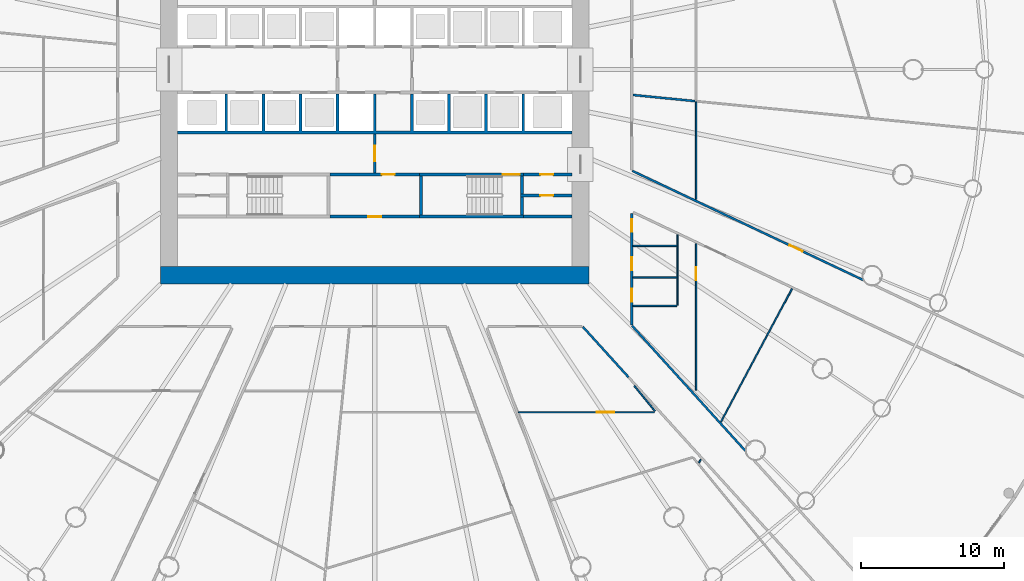
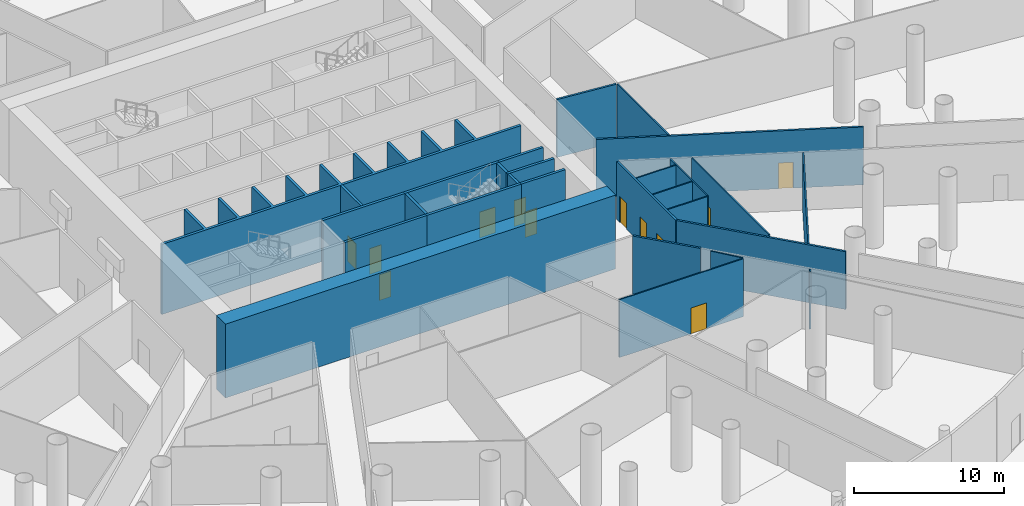
# One storey, part 16 of 33: 28 walls, 12 doors, 12 openings.
"""IFC4 building model written with IfcOpenShell, lengths in metres."""

from ifc_helpers import new_model, si_unit, direction, frame, frame_2d, origin, place, context, subcontext, project, spatial, polyline, rectangle, outline, extrude, material, layer, layer_set, type_object, element, fill, save


model = new_model("IFC4")

# Units and contexts
model_context = context("Model", 3, precision=1e-05, world=origin(), true_north=direction((0.0, 1.0)))
body_context = subcontext(model_context, "Body", "Model", "MODEL_VIEW")
ifc_project = project(units=[si_unit("LENGTHUNIT", "METRE"), si_unit("AREAUNIT", "SQUARE_METRE"), si_unit("VOLUMEUNIT", "CUBIC_METRE"), si_unit("PLANEANGLEUNIT", "RADIAN"), si_unit("MASSUNIT", "GRAM", prefix="KILO")], contexts=[model_context])

# Site, building, storey
site_placement = place(None, origin())
site = spatial("IfcSite", under=ifc_project, at=site_placement, CompositionType="ELEMENT")
building_placement = place(site_placement, origin())
building = spatial("IfcBuilding", under=site, at=building_placement, Name="Corvane Civic Tower", CompositionType="ELEMENT")
storey_placement = place(building_placement, origin())
storey = spatial("IfcBuildingStorey", under=building, at=storey_placement, Name="G", CompositionType="ELEMENT", Elevation=0.0)

# Wall
ifc_material_1 = material(Name="Concrete C80/95", Category="concrete")
ifc_layer_1 = layer(ifc_material_1, 1.199951171875)
ifc_layer_set_1 = layer_set([ifc_layer_1], Name="Concrete C80/95")
wall_type_1 = type_object("IfcWallType", Name="CORE WALL 1200 C80/95", PredefinedType="SHEAR", material=ifc_layer_set_1)
wall_1_placement = place(storey_placement, frame((-15.0, -14.39990234375, 0.0), z_axis=(0.0, 0.0, 1.0), x_axis=(1.0, 0.0, 0.0)))
element("IfcWall", 1, at=wall_1_placement, inside=storey, type_object=wall_type_1, Name="W-G-core-S", PredefinedType="SHEAR", context=body_context, shape_type="SweptSolid", body=[
    extrude(rectangle(XDim=30.0, YDim=1.199951171875, at=frame_2d((15.0, 0.0))), origin(), (0.0, 0.0, 1.0), 6.0),
])

# Wall, opening, door
ifc_material_2 = material(Name="Concrete C30/37", Category="concrete")
ifc_layer_2 = layer(ifc_material_2, 0.199951171875)
ifc_layer_set_2 = layer_set([ifc_layer_2], Name="Concrete C30/37")
wall_type_2 = type_object("IfcWallType", Name="CR-WALL-200", PredefinedType="PARTITIONING", material=ifc_layer_set_2)
wall_2_placement = place(storey_placement, frame((-3.14990234375, -10.300048828125, 0.0), z_axis=(0.0, 0.0, 1.0), x_axis=(1.0, 0.0, 0.0)))
wall_2 = element("IfcWall", 2, at=wall_2_placement, inside=storey, type_object=wall_type_2, Name="G partition wall", PredefinedType="PARTITIONING", context=body_context, shape_type="SweptSolid", body=[
    extrude(rectangle(XDim=6.2998046875, YDim=0.199951171875, at=frame_2d((3.14990234375, 0.0))), origin(), (0.0, 0.0, 1.0), 5.699951171875),
])
opening_1_placement = place(wall_2_placement, frame((2.699951171875, 0.0, 0.0)))
opening_1 = element("IfcOpeningElement", 3, at=opening_1_placement, cuts=wall_2, Name="Opening G.C05", PredefinedType="OPENING", context=body_context, shape_type="SweptSolid", body=[
    extrude(rectangle(XDim=0.89990234375, YDim=2.10009765625, at=frame_2d((0.449951171875, 1.050048828125))), frame((0.0, 0.10986328125, 0.0), z_axis=(0.0, -1.0, 0.0), x_axis=(1.0, 0.0, 0.0)), (0.0, 0.0, 1.0), 0.219970703125),
])
ifc_material_3 = material(Name="Steel fire door leaf", Category="steel")
door_type_1 = type_object("IfcDoorType", Name="CR-DOOR-900", OperationType="SINGLE_SWING_LEFT", PredefinedType="DOOR", material=ifc_material_3)
door_1_placement = place(opening_1_placement, origin())
door_1 = element("IfcDoor", 4, at=door_1_placement, inside=storey, type_object=door_type_1, Name="G door", OperationType="SINGLE_SWING_LEFT", OverallHeight=2.10009765625, OverallWidth=0.89990234375, PredefinedType="DOOR", context=body_context, shape_type="SweptSolid", body=[
    extrude(rectangle(XDim=0.89990234375, YDim=2.10009765625, at=frame_2d((0.449951171875, 1.050048828125))), frame((0.0, 0.02490234375, 0.0), z_axis=(0.0, -1.0, 0.0), x_axis=(1.0, 0.0, 0.0)), (0.0, 0.0, 1.0), 0.050048828125),
])
fill(opening_1, door_1)

wall_3_placement = place(storey_placement, frame((10.199951171875, -8.824951171875, 0.0), z_axis=(0.0, 0.0, 1.0), x_axis=(1.0, 0.0, 0.0)))
wall_3 = element("IfcWall", 5, at=wall_3_placement, inside=storey, type_object=wall_type_2, Name="G partition wall", PredefinedType="PARTITIONING", context=body_context, shape_type="SweptSolid", body=[
    extrude(rectangle(XDim=3.60009765625, YDim=0.199951171875, at=frame_2d((1.800048828125, 0.0))), origin(), (0.0, 0.0, 1.0), 5.699951171875),
])
opening_2_placement = place(wall_3_placement, frame((1.39990234375, 0.0, 0.0)))
opening_2 = element("IfcOpeningElement", 6, at=opening_2_placement, cuts=wall_3, Name="Opening G.C13", PredefinedType="OPENING", context=body_context, shape_type="SweptSolid", body=[
    extrude(rectangle(XDim=0.89990234375, YDim=2.10009765625, at=frame_2d((0.449951171875, 1.050048828125))), frame((0.0, 0.10986328125, 0.0), z_axis=(0.0, -1.0, 0.0), x_axis=(1.0, 0.0, 0.0)), (0.0, 0.0, 1.0), 0.219970703125),
])
door_2_placement = place(opening_2_placement, origin())
door_2 = element("IfcDoor", 7, at=door_2_placement, inside=storey, type_object=door_type_1, Name="G door", OperationType="SINGLE_SWING_LEFT", OverallHeight=2.10009765625, OverallWidth=0.89990234375, PredefinedType="DOOR", context=body_context, shape_type="SweptSolid", body=[
    extrude(rectangle(XDim=0.89990234375, YDim=2.10009765625, at=frame_2d((0.449951171875, 1.050048828125))), frame((0.0, 0.02490234375, 0.0), z_axis=(0.0, -1.0, 0.0), x_axis=(1.0, 0.0, 0.0)), (0.0, 0.0, 1.0), 0.050048828125),
])
fill(opening_2, door_2)

wall_4_placement = place(storey_placement, frame((-3.14990234375, -7.35009765625, 0.0), z_axis=(0.0, 0.0, 1.0), x_axis=(1.0, 0.0, 0.0)))
wall_4 = element("IfcWall", 8, at=wall_4_placement, inside=storey, type_object=wall_type_2, Name="G partition wall", PredefinedType="PARTITIONING", context=body_context, shape_type="SweptSolid", body=[
    extrude(rectangle(XDim=6.2998046875, YDim=0.199951171875, at=frame_2d((3.14990234375, 0.0))), origin(), (0.0, 0.0, 1.0), 5.699951171875),
])
opening_3_placement = place(wall_4_placement, frame((3.64990234375, 0.0, 0.0)))
opening_3 = element("IfcOpeningElement", 9, at=opening_3_placement, cuts=wall_4, Name="Opening G.C03", PredefinedType="OPENING", context=body_context, shape_type="SweptSolid", body=[
    extrude(rectangle(XDim=0.89990234375, YDim=2.10009765625, at=frame_2d((0.449951171875, 1.050048828125))), frame((0.0, 0.10986328125, 0.0), z_axis=(0.0, -1.0, 0.0), x_axis=(1.0, 0.0, 0.0)), (0.0, 0.0, 1.0), 0.219970703125),
])
door_3_placement = place(opening_3_placement, origin())
door_3 = element("IfcDoor", 10, at=door_3_placement, inside=storey, type_object=door_type_1, Name="G door", OperationType="SINGLE_SWING_LEFT", OverallHeight=2.10009765625, OverallWidth=0.89990234375, PredefinedType="DOOR", context=body_context, shape_type="SweptSolid", body=[
    extrude(rectangle(XDim=0.89990234375, YDim=2.10009765625, at=frame_2d((0.449951171875, 1.050048828125))), frame((0.0, 0.02490234375, 0.0), z_axis=(0.0, -1.0, 0.0), x_axis=(1.0, 0.0, 0.0)), (0.0, 0.0, 1.0), 0.050048828125),
])
fill(opening_3, door_3)

wall_5_placement = place(storey_placement, frame((10.39990234375, -7.35009765625, 0.0), z_axis=(0.0, 0.0, 1.0), x_axis=(1.0, 0.0, 0.0)))
wall_5 = element("IfcWall", 11, at=wall_5_placement, inside=storey, type_object=wall_type_2, Name="G core partition wall", PredefinedType="PARTITIONING", context=body_context, shape_type="SweptSolid", body=[
    extrude(rectangle(XDim=3.400146484375, YDim=0.199951171875, at=frame_2d((1.7001953125, 0.0))), origin(), (0.0, 0.0, 1.0), 5.699951171875),
])
opening_4_placement = place(wall_5_placement, frame((1.199951171875, 0.0, 0.0)))
opening_4 = element("IfcOpeningElement", 12, at=opening_4_placement, cuts=wall_5, Name="Opening G.C12", PredefinedType="OPENING", context=body_context, shape_type="SweptSolid", body=[
    extrude(rectangle(XDim=0.89990234375, YDim=2.10009765625, at=frame_2d((0.449951171875, 1.050048828125))), frame((0.0, 0.10986328125, 0.0), z_axis=(0.0, -1.0, 0.0), x_axis=(1.0, 0.0, 0.0)), (0.0, 0.0, 1.0), 0.219970703125),
])
door_4_placement = place(opening_4_placement, origin())
door_4 = element("IfcDoor", 13, at=door_4_placement, inside=storey, type_object=door_type_1, Name="G door", OperationType="SINGLE_SWING_LEFT", OverallHeight=2.10009765625, OverallWidth=0.89990234375, PredefinedType="DOOR", context=body_context, shape_type="SweptSolid", body=[
    extrude(rectangle(XDim=0.89990234375, YDim=2.10009765625, at=frame_2d((0.449951171875, 1.050048828125))), frame((0.0, 0.02490234375, 0.0), z_axis=(0.0, -1.0, 0.0), x_axis=(1.0, 0.0, 0.0)), (0.0, 0.0, 1.0), 0.050048828125),
])
fill(opening_4, door_4)

wall_6_placement = place(storey_placement, frame((0.0, -7.25, 0.0), z_axis=(0.0, 0.0, 1.0), x_axis=(0.0, 1.0, 0.0)))
wall_6 = element("IfcWall", 14, at=wall_6_placement, inside=storey, type_object=wall_type_2, Name="G core partition wall", PredefinedType="PARTITIONING", context=body_context, shape_type="SweptSolid", body=[
    extrude(rectangle(XDim=2.75, YDim=0.199951171875, at=frame_2d((1.375, 0.0))), origin(), (0.0, 0.0, 1.0), 5.699951171875),
])
opening_5_placement = place(wall_6_placement, frame((0.824951171875, 0.0, 0.0)))
opening_5 = element("IfcOpeningElement", 15, at=opening_5_placement, cuts=wall_6, Name="Opening G.C21", PredefinedType="OPENING", context=body_context, shape_type="SweptSolid", body=[
    extrude(rectangle(XDim=1.10009765625, YDim=2.10009765625, at=frame_2d((0.550048828125, 1.050048828125))), frame((0.0, 0.10986328125, 0.0), z_axis=(0.0, -1.0, 0.0), x_axis=(1.0, 0.0, 0.0)), (0.0, 0.0, 1.0), 0.219970703125),
])
ifc_material_4 = material(Name="Steel fire door leaf", Category="steel")
door_type_2 = type_object("IfcDoorType", Name="CR-DOOR-FFL-1100", OperationType="SINGLE_SWING_LEFT", PredefinedType="DOOR", material=ifc_material_4)
door_5_placement = place(opening_5_placement, origin())
door_5 = element("IfcDoor", 16, at=door_5_placement, inside=storey, type_object=door_type_2, Name="G lobby door", OperationType="SINGLE_SWING_LEFT", OverallHeight=2.10009765625, OverallWidth=1.10009765625, PredefinedType="DOOR", context=body_context, shape_type="SweptSolid", body=[
    extrude(rectangle(XDim=1.10009765625, YDim=2.10009765625, at=frame_2d((0.550048828125, 1.050048828125))), frame((0.0, 0.02490234375, 0.0), z_axis=(0.0, -1.0, 0.0), x_axis=(1.0, 0.0, 0.0)), (0.0, 0.0, 1.0), 0.050048828125),
])
fill(opening_5, door_5)

# Walls
wall_7_placement = place(storey_placement, origin())
element("IfcWall", 17, at=wall_7_placement, inside=storey, type_object=wall_type_2, Name="G core partition wall", PredefinedType="PARTITIONING", context=body_context, shape_type="SweptSolid", body=[
    extrude(outline(polyline([(-10.5, -1.699951171875), (-10.300048828125, -1.699951171875), (-10.300048828125, -4.300048828125), (-7.89990234375, -4.300048828125), (-7.89990234375, -1.699951171875), (-7.699951171875, -1.699951171875), (-7.699951171875, -4.300048828125), (-5.300048828125, -4.300048828125), (-5.300048828125, -1.699951171875), (-5.10009765625, -1.699951171875), (-5.10009765625, -4.300048828125), (-2.699951171875, -4.300048828125), (-2.699951171875, -1.699951171875), (-2.5, -1.699951171875), (-2.5, -4.300048828125), (-0.10009765625, -4.300048828125), (-0.10009765625, -1.699951171875), (0.10009765625, -1.699951171875), (0.10009765625, -4.300048828125), (2.5, -4.300048828125), (2.5, -1.699951171875), (2.699951171875, -1.699951171875), (2.699951171875, -4.300048828125), (5.10009765625, -4.300048828125), (5.10009765625, -1.699951171875), (5.300048828125, -1.699951171875), (5.300048828125, -4.300048828125), (7.699951171875, -4.300048828125), (7.699951171875, -1.699951171875), (7.89990234375, -1.699951171875), (7.89990234375, -4.300048828125), (10.300048828125, -4.300048828125), (10.300048828125, -1.699951171875), (10.5, -1.699951171875), (10.5, -4.300048828125), (13.800048828125, -4.300048828125), (13.800048828125, -4.5), (-13.800048828125, -4.5), (-13.800048828125, -4.300048828125), (-10.5, -4.300048828125), (-10.5, -1.699951171875)])), origin(), (0.0, 0.0, 1.0), 5.699951171875),
])
wall_8_placement = place(storey_placement, origin())
element("IfcWall", 18, at=wall_8_placement, inside=storey, type_object=wall_type_2, Name="G core partition wall", PredefinedType="PARTITIONING", context=body_context, shape_type="SweptSolid", body=[
    extrude(outline(polyline([(13.800048828125, -10.39990234375), (10.39990234375, -10.39990234375), (10.39990234375, -10.199951171875), (13.800048828125, -10.199951171875), (13.800048828125, -10.39990234375)])), origin(), (0.0, 0.0, 1.0), 5.699951171875),
])
ifc_material_5 = material(Name="Plasterboard")
ifc_layer_3 = layer(ifc_material_5, 0.10009765625)
ifc_layer_set_3 = layer_set([ifc_layer_3], Name="Plasterboard")
wall_type_3 = type_object("IfcWallType", Name="Partition 100 plasterboard on studs", PredefinedType="PARTITIONING", material=ifc_layer_set_3)
wall_9_placement = place(storey_placement, frame((24.240234375, -24.672607421875, 0.0), z_axis=(0.0, 0.0, 1.0), x_axis=(0.471399252405, 0.881919919739, 0.0)))
element("IfcWall", 19, at=wall_9_placement, inside=storey, type_object=wall_type_3, Name="Partition G.021", PredefinedType="PARTITIONING", context=body_context, shape_type="SweptSolid", body=[
    extrude(rectangle(XDim=10.5751953125, YDim=0.10009765625, at=frame_2d((5.28759765625, 0.0))), origin(), (0.0, 0.0, 1.0), 4.699951171875),
])

# Wall, opening, door
wall_10_placement = place(storey_placement, frame((10.065673828125, -24.0, 0.0), z_axis=(0.0, 0.0, 1.0), x_axis=(1.0, 0.0, 0.0)))
wall_10 = element("IfcWall", 20, at=wall_10_placement, inside=storey, type_object=wall_type_3, Name="Partition G.024", PredefinedType="PARTITIONING", context=body_context, shape_type="SweptSolid", body=[
    extrude(rectangle(XDim=9.52490234375, YDim=0.10009765625, at=frame_2d((4.762451171875, 0.0))), origin(), (0.0, 0.0, 1.0), 4.699951171875),
])
opening_6_placement = place(wall_10_placement, frame((5.490478515625, 0.0, 0.0)))
opening_6 = element("IfcOpeningElement", 21, at=opening_6_placement, cuts=wall_10, Name="Opening G.023", PredefinedType="OPENING", context=body_context, shape_type="SweptSolid", body=[
    extrude(rectangle(XDim=1.199951171875, YDim=2.10009765625, at=frame_2d((0.60009765625, 1.050048828125))), frame((0.0, 0.06005859375, 0.0), z_axis=(0.0, -1.0, 0.0), x_axis=(1.0, 0.0, 0.0)), (0.0, 0.0, 1.0), 0.1201171875),
])
ifc_material_6 = material(Name="Timber", Category="wood")
door_type_3 = type_object("IfcDoorType", Name="Double door 1200", OperationType="NOTDEFINED", PredefinedType="DOOR", material=ifc_material_6)
door_6_placement = place(opening_6_placement, frame((1.199951171875, 0.0, 0.0), z_axis=(0.0, 0.0, 1.0), x_axis=(-1.0, 0.0, 0.0)))
door_6 = element("IfcDoor", 22, at=door_6_placement, inside=storey, type_object=door_type_3, Name="Door G.023", OperationType="DOUBLE_DOOR_SINGLE_SWING", OverallHeight=2.10009765625, OverallWidth=1.199951171875, PredefinedType="DOOR", context=body_context, shape_type="SweptSolid", body=[
    extrude(rectangle(XDim=1.199951171875, YDim=2.10009765625, at=frame_2d((0.60009765625, 1.050048828125))), frame((0.0, 0.02490234375, 0.0), z_axis=(0.0, -1.0, 0.0), x_axis=(1.0, 0.0, 0.0)), (0.0, 0.0, 1.0), 0.050048828125),
])
fill(opening_6, door_6)

# Wall
wall_11_placement = place(storey_placement, frame((18.1708984375, -22.14111328125, 0.0), z_axis=(0.0, 0.0, 1.0), x_axis=(0.634347532999, -0.773047998108, 0.0)))
element("IfcWall", 23, at=wall_11_placement, inside=storey, type_object=wall_type_3, Name="Partition G.025", PredefinedType="PARTITIONING", context=body_context, shape_type="SweptSolid", body=[
    extrude(rectangle(XDim=2.298828125, YDim=0.10009765625, at=frame_2d((1.1494140625, 0.0))), origin(), (0.0, 0.0, 1.0), 4.699951171875),
])

# Wall, opening, door
wall_12_placement = place(storey_placement, frame((22.5, -22.449951171875, 0.0), z_axis=(0.0, 0.0, 1.0), x_axis=(0.0, 1.0, 0.0)))
wall_12 = element("IfcWall", 24, at=wall_12_placement, inside=storey, type_object=wall_type_3, Name="Partition G.029", PredefinedType="PARTITIONING", context=body_context, shape_type="SweptSolid", body=[
    extrude(rectangle(XDim=10.263671875, YDim=0.10009765625, at=frame_2d((5.1318359375, 0.0))), origin(), (0.0, 0.0, 1.0), 4.699951171875),
])
opening_7_placement = place(wall_12_placement, frame((7.698486328125, 0.0, 0.0)))
opening_7 = element("IfcOpeningElement", 25, at=opening_7_placement, cuts=wall_12, Name="Opening G.015", PredefinedType="OPENING", context=body_context, shape_type="SweptSolid", body=[
    extrude(rectangle(XDim=0.89990234375, YDim=2.10009765625, at=frame_2d((0.449951171875, 1.050048828125))), frame((0.0, 0.06005859375, 0.0), z_axis=(0.0, -1.0, 0.0), x_axis=(1.0, 0.0, 0.0)), (0.0, 0.0, 1.0), 0.1201171875),
])
ifc_material_7 = material(Name="Timber", Category="wood")
door_type_4 = type_object("IfcDoorType", Name="Single door 900", OperationType="NOTDEFINED", PredefinedType="DOOR", material=ifc_material_7)
door_7_placement = place(opening_7_placement, origin())
door_7 = element("IfcDoor", 26, at=door_7_placement, inside=storey, type_object=door_type_4, Name="Door G.015", OperationType="SINGLE_SWING_RIGHT", OverallHeight=2.10009765625, OverallWidth=0.89990234375, PredefinedType="DOOR", context=body_context, shape_type="SweptSolid", body=[
    extrude(rectangle(XDim=0.89990234375, YDim=2.10009765625, at=frame_2d((0.449951171875, 1.050048828125))), frame((0.0, 0.02490234375, 0.0), z_axis=(0.0, -1.0, 0.0), x_axis=(1.0, 0.0, 0.0)), (0.0, 0.0, 1.0), 0.050048828125),
])
fill(opening_7, door_7)

# Walls
wall_13_placement = place(storey_placement, frame((18.074951171875, -16.551513671875, 0.0), z_axis=(0.0, 0.0, 1.0), x_axis=(1.0, 0.0, 0.0)))
element("IfcWall", 27, at=wall_13_placement, inside=storey, type_object=wall_type_3, Name="Partition G.041", PredefinedType="PARTITIONING", context=body_context, shape_type="SweptSolid", body=[
    extrude(rectangle(XDim=3.074951171875, YDim=0.10009765625, at=frame_2d((1.53759765625, 0.0))), origin(), (0.0, 0.0, 1.0), 4.699951171875),
])
wall_14_placement = place(storey_placement, frame((21.199951171875, -16.50146484375, 0.0), z_axis=(0.0, 0.0, 1.0), x_axis=(0.0, 1.0, 0.0)))
element("IfcWall", 28, at=wall_14_placement, inside=storey, type_object=wall_type_3, Name="Partition G.042", PredefinedType="PARTITIONING", context=body_context, shape_type="SweptSolid", body=[
    extrude(rectangle(XDim=4.929931640625, YDim=0.10009765625, at=frame_2d((2.46484375, 0.0))), origin(), (0.0, 0.0, 1.0), 4.699951171875),
])
for number, where, z_axis, x_axis, name in (
    (29, (18.074951171875, -14.551513671875, 0.0), (0.0, 0.0, 1.0), (1.0, 0.0, 0.0), "Partition G.045"),
    (30, (18.074951171875, -12.351318359375, 0.0), (0.0, 0.0, 1.0), (1.0, 0.0, 0.0), "Partition G.048"),
):
    element("IfcWall", number, at=place(storey_placement, frame(where, z_axis=z_axis, x_axis=x_axis)), inside=storey, type_object=wall_type_3, Name=name, PredefinedType="PARTITIONING", context=body_context, shape_type="SweptSolid", body=[
        extrude(rectangle(XDim=3.074951171875, YDim=0.10009765625, at=frame_2d((1.53759765625, 0.0))), origin(), (0.0, 0.0, 1.0), 4.699951171875),
    ])
wall_15_placement = place(storey_placement, frame((22.5, -9.096923828125, 0.0), z_axis=(0.0, 0.0, 1.0), x_axis=(0.0, 1.0, 0.0)))
element("IfcWall", 31, at=wall_15_placement, inside=storey, type_object=wall_type_3, Name="Partition G.050", PredefinedType="PARTITIONING", context=body_context, shape_type="SweptSolid", body=[
    extrude(rectangle(XDim=6.82568359375, YDim=0.10009765625, at=frame_2d((3.412841796875, 0.0))), origin(), (0.0, 0.0, 1.0), 4.699951171875),
])
wall_16_placement = place(storey_placement, frame((22.711669921875, -27.532470703125, 0.0), z_axis=(0.0, 0.0, 1.0), x_axis=(0.470927008618, 0.88217217852, 0.0)))
element("IfcWall", 32, at=wall_16_placement, inside=storey, type_object=wall_type_3, Name="Partition G.101", PredefinedType="PARTITIONING", context=body_context, shape_type="SweptSolid", body=[
    extrude(rectangle(XDim=0.26171875, YDim=0.10009765625, at=frame_2d((0.130859375, 0.0))), origin(), (0.0, 0.0, 1.0), 4.699951171875),
])

# Wall, opening, door
ifc_material_8 = material(Name="Concrete C50/60", Category="concrete")
ifc_layer_4 = layer(ifc_material_8, 0.199951171875)
ifc_layer_set_4 = layer_set([ifc_layer_4], Name="Concrete C50/60")
wall_type_4 = type_object("IfcWallType", Name="ST-WALL-200", PredefinedType="SHEAR", material=ifc_layer_set_4)
wall_17_placement = place(storey_placement, frame((3.14990234375, -7.35009765625, 0.0), z_axis=(0.0, 0.0, 1.0), x_axis=(1.0, 0.0, 0.0)))
wall_17 = element("IfcWall", 33, at=wall_17_placement, inside=storey, type_object=wall_type_4, Name="G stair enclosure wall", PredefinedType="SHEAR", context=body_context, shape_type="SweptSolid", body=[
    extrude(rectangle(XDim=7.25, YDim=0.199951171875, at=frame_2d((3.625, 0.0))), origin(), (0.0, 0.0, 1.0), 5.699951171875),
])
opening_8_placement = place(wall_17_placement, frame((5.800048828125, 0.0, 0.0)))
opening_8 = element("IfcOpeningElement", 34, at=opening_8_placement, cuts=wall_17, Name="Opening G.C16", PredefinedType="OPENING", context=body_context, shape_type="SweptSolid", body=[
    extrude(rectangle(XDim=1.199951171875, YDim=2.10009765625, at=frame_2d((0.60009765625, 1.050048828125))), frame((0.0, 0.10986328125, 0.0), z_axis=(0.0, -1.0, 0.0), x_axis=(1.0, 0.0, 0.0)), (0.0, 0.0, 1.0), 0.219970703125),
])
ifc_material_9 = material(Name="Steel fire door leaf", Category="steel")
door_type_5 = type_object("IfcDoorType", Name="ST-DOOR-1200", OperationType="SINGLE_SWING_RIGHT", PredefinedType="DOOR", material=ifc_material_9)
door_8_placement = place(opening_8_placement, origin())
door_8 = element("IfcDoor", 35, at=door_8_placement, inside=storey, type_object=door_type_5, Name="G stair door", OperationType="SINGLE_SWING_RIGHT", OverallHeight=2.10009765625, OverallWidth=1.199951171875, PredefinedType="DOOR", context=body_context, shape_type="SweptSolid", body=[
    extrude(rectangle(XDim=1.199951171875, YDim=2.10009765625, at=frame_2d((0.60009765625, 1.050048828125))), frame((0.0, 0.02490234375, 0.0), z_axis=(0.0, -1.0, 0.0), x_axis=(1.0, 0.0, 0.0)), (0.0, 0.0, 1.0), 0.050048828125),
])
fill(opening_8, door_8)

# Walls
wall_18_placement = place(storey_placement, origin())
element("IfcWall", 36, at=wall_18_placement, inside=storey, type_object=wall_type_4, Name="G stair enclosure wall", PredefinedType="SHEAR", context=body_context, shape_type="SweptSolid", body=[
    extrude(outline(polyline([(10.39990234375, -10.39990234375), (3.14990234375, -10.39990234375), (3.14990234375, -10.199951171875), (10.39990234375, -10.199951171875), (10.39990234375, -10.39990234375)])), origin(), (0.0, 0.0, 1.0), 5.699951171875),
])
wall_19_placement = place(storey_placement, origin())
element("IfcWall", 37, at=wall_19_placement, inside=storey, type_object=wall_type_4, Name="G stair enclosure wall", PredefinedType="SHEAR", context=body_context, shape_type="SweptSolid", body=[
    extrude(outline(polyline([(3.35009765625, -7.449951171875), (3.35009765625, -10.199951171875), (3.14990234375, -10.199951171875), (3.14990234375, -7.449951171875), (3.35009765625, -7.449951171875)])), origin(), (0.0, 0.0, 1.0), 5.699951171875),
])
wall_20_placement = place(storey_placement, origin())
element("IfcWall", 38, at=wall_20_placement, inside=storey, type_object=wall_type_4, Name="G stair enclosure wall", PredefinedType="SHEAR", context=body_context, shape_type="SweptSolid", body=[
    extrude(outline(polyline([(10.39990234375, -7.449951171875), (10.39990234375, -8.72509765625), (10.199951171875, -8.72509765625), (10.199951171875, -7.449951171875), (10.39990234375, -7.449951171875)])), origin(), (0.0, 0.0, 1.0), 5.699951171875),
])
wall_21_placement = place(storey_placement, origin())
element("IfcWall", 39, at=wall_21_placement, inside=storey, type_object=wall_type_4, Name="G stair enclosure wall", PredefinedType="SHEAR", context=body_context, shape_type="SweptSolid", body=[
    extrude(outline(polyline([(10.39990234375, -8.925048828125), (10.39990234375, -10.199951171875), (10.199951171875, -10.199951171875), (10.199951171875, -8.925048828125), (10.39990234375, -8.925048828125)])), origin(), (0.0, 0.0, 1.0), 5.699951171875),
])
ifc_material_10 = material(Name="Plasterboard")
ifc_layer_5 = layer(ifc_material_10, 0.14990234375)
ifc_layer_set_5 = layer_set([ifc_layer_5], Name="Plasterboard")
wall_type_5 = type_object("IfcWallType", Name="Tenancy wall 150 EI 60", PredefinedType="PARTITIONING", material=ifc_layer_set_5)
wall_22_placement = place(storey_placement, frame((18.019287109375, -17.945556640625, 0.0), z_axis=(0.0, 0.0, 1.0), x_axis=(0.67156376523, -0.740946765449, 0.0)))
element("IfcWall", 40, at=wall_22_placement, inside=storey, type_object=wall_type_5, Name="Partition G.019", PredefinedType="PARTITIONING", context=body_context, shape_type="SweptSolid", body=[
    extrude(rectangle(XDim=11.808837890625, YDim=0.14990234375, at=frame_2d((5.904296875, 0.0))), origin(), (0.0, 0.0, 1.0), 4.699951171875),
])
wall_23_placement = place(storey_placement, frame((14.58203125, -18.024658203125, 0.0), z_axis=(0.0, 0.0, 1.0), x_axis=(0.671573281012, -0.740938140624, 0.0)))
element("IfcWall", 41, at=wall_23_placement, inside=storey, type_object=wall_type_5, Name="Partition G.031", PredefinedType="PARTITIONING", context=body_context, shape_type="SweptSolid", body=[
    extrude(rectangle(XDim=4.744384765625, YDim=0.14990234375, at=frame_2d((2.3720703125, 0.0))), origin(), (0.0, 0.0, 1.0), 4.699951171875),
])

# Wall, openings, doors
wall_24_placement = place(storey_placement, frame((18.0, -17.895263671875, 0.0), z_axis=(0.0, 0.0, 1.0), x_axis=(0.0, 1.0, 0.0)))
wall_24 = element("IfcWall", 42, at=wall_24_placement, inside=storey, type_object=wall_type_5, Name="Partition G.038", PredefinedType="PARTITIONING", context=body_context, shape_type="SweptSolid", body=[
    extrude(rectangle(XDim=7.825439453125, YDim=0.14990234375, at=frame_2d((3.91259765625, 0.0))), origin(), (0.0, 0.0, 1.0), 4.699951171875),
])
opening_9_placement = place(wall_24_placement, frame((3.8447265625, 0.0, 0.0)))
opening_9 = element("IfcOpeningElement", 43, at=opening_9_placement, cuts=wall_24, Name="Opening G.017", PredefinedType="OPENING", context=body_context, shape_type="SweptSolid", body=[
    extrude(rectangle(XDim=0.89990234375, YDim=2.10009765625, at=frame_2d((0.449951171875, 1.050048828125))), frame((0.0, 0.0849609375, 0.0), z_axis=(0.0, -1.0, 0.0), x_axis=(1.0, 0.0, 0.0)), (0.0, 0.0, 1.0), 0.169921875),
])
opening_10_placement = place(wall_24_placement, frame((1.645263671875, 0.0, 0.0)))
opening_10 = element("IfcOpeningElement", 44, at=opening_10_placement, cuts=wall_24, Name="Opening G.018", PredefinedType="OPENING", context=body_context, shape_type="SweptSolid", body=[
    extrude(rectangle(XDim=0.89990234375, YDim=2.10009765625, at=frame_2d((0.449951171875, 1.050048828125))), frame((0.0, 0.0849609375, 0.0), z_axis=(0.0, -1.0, 0.0), x_axis=(1.0, 0.0, 0.0)), (0.0, 0.0, 1.0), 0.169921875),
])
opening_11_placement = place(wall_24_placement, frame((6.524658203125, 0.0, 0.0)))
opening_11 = element("IfcOpeningElement", 45, at=opening_11_placement, cuts=wall_24, Name="Opening G.019", PredefinedType="OPENING", context=body_context, shape_type="SweptSolid", body=[
    extrude(rectangle(XDim=0.89990234375, YDim=2.10009765625, at=frame_2d((0.449951171875, 1.050048828125))), frame((0.0, 0.0849609375, 0.0), z_axis=(0.0, -1.0, 0.0), x_axis=(1.0, 0.0, 0.0)), (0.0, 0.0, 1.0), 0.169921875),
])
ifc_material_11 = material(Name="Steel and timber", Category="steel")
door_type_6 = type_object("IfcDoorType", Name="Fire door FD30S 900", OperationType="NOTDEFINED", PredefinedType="DOOR", material=ifc_material_11)
door_9_placement = place(opening_9_placement, frame((0.89990234375, 0.0, 0.0), z_axis=(0.0, 0.0, 1.0), x_axis=(-1.0, 0.0, 0.0)))
door_9 = element("IfcDoor", 46, at=door_9_placement, inside=storey, type_object=door_type_6, Name="Door G.017", OperationType="SINGLE_SWING_LEFT", OverallHeight=2.10009765625, OverallWidth=0.89990234375, PredefinedType="DOOR", context=body_context, shape_type="SweptSolid", body=[
    extrude(rectangle(XDim=0.89990234375, YDim=2.10009765625, at=frame_2d((0.449951171875, 1.050048828125))), frame((0.0, 0.02490234375, 0.0), z_axis=(0.0, -1.0, 0.0), x_axis=(1.0, 0.0, 0.0)), (0.0, 0.0, 1.0), 0.050048828125),
])
fill(opening_9, door_9)
door_10_placement = place(opening_10_placement, frame((0.89990234375, 0.0, 0.0), z_axis=(0.0, 0.0, 1.0), x_axis=(-1.0, 0.0, 0.0)))
door_10 = element("IfcDoor", 47, at=door_10_placement, inside=storey, type_object=door_type_6, Name="Door G.018", OperationType="SINGLE_SWING_RIGHT", OverallHeight=2.10009765625, OverallWidth=0.89990234375, PredefinedType="DOOR", context=body_context, shape_type="SweptSolid", body=[
    extrude(rectangle(XDim=0.89990234375, YDim=2.10009765625, at=frame_2d((0.449951171875, 1.050048828125))), frame((0.0, 0.02490234375, 0.0), z_axis=(0.0, -1.0, 0.0), x_axis=(1.0, 0.0, 0.0)), (0.0, 0.0, 1.0), 0.050048828125),
])
fill(opening_10, door_10)
door_11_placement = place(opening_11_placement, frame((0.89990234375, 0.0, 0.0), z_axis=(0.0, 0.0, 1.0), x_axis=(-1.0, 0.0, 0.0)))
door_11 = element("IfcDoor", 48, at=door_11_placement, inside=storey, type_object=door_type_6, Name="Door G.019", OperationType="SINGLE_SWING_LEFT", OverallHeight=2.10009765625, OverallWidth=0.89990234375, PredefinedType="DOOR", context=body_context, shape_type="SweptSolid", body=[
    extrude(rectangle(XDim=0.89990234375, YDim=2.10009765625, at=frame_2d((0.449951171875, 1.050048828125))), frame((0.0, 0.02490234375, 0.0), z_axis=(0.0, -1.0, 0.0), x_axis=(1.0, 0.0, 0.0)), (0.0, 0.0, 1.0), 0.050048828125),
])
fill(opening_11, door_11)

# Wall, opening, door
wall_25_placement = place(storey_placement, frame((18.04296875, -7.095703125, 0.0), z_axis=(0.0, 0.0, 1.0), x_axis=(0.903986214912, -0.427561601701, 0.0)))
wall_25 = element("IfcWall", 49, at=wall_25_placement, inside=storey, type_object=wall_type_5, Name="Partition G.044", PredefinedType="PARTITIONING", context=body_context, shape_type="SweptSolid", body=[
    extrude(rectangle(XDim=17.8623046875, YDim=0.14990234375, at=frame_2d((8.93115234375, 0.0))), origin(), (0.0, 0.0, 1.0), 4.699951171875),
])
opening_12_placement = place(wall_25_placement, frame((12.17724609375, 0.0, 0.0)))
opening_12 = element("IfcOpeningElement", 50, at=opening_12_placement, cuts=wall_25, Name="Opening G.013", PredefinedType="OPENING", context=body_context, shape_type="SweptSolid", body=[
    extrude(rectangle(XDim=1.0, YDim=2.10009765625, at=frame_2d((0.5, 1.050048828125))), frame((0.0, 0.0849609375, 0.0), z_axis=(0.0, -1.0, 0.0), x_axis=(1.0, 0.0, 0.0)), (0.0, 0.0, 1.0), 0.169921875),
])
ifc_material_12 = material(Name="Steel and timber", Category="steel")
door_type_7 = type_object("IfcDoorType", Name="Fire door FD30S 1000", OperationType="NOTDEFINED", PredefinedType="DOOR", material=ifc_material_12)
door_12_placement = place(opening_12_placement, origin())
door_12 = element("IfcDoor", 51, at=door_12_placement, inside=storey, type_object=door_type_7, Name="Door G.013", OperationType="SINGLE_SWING_LEFT", OverallHeight=2.10009765625, OverallWidth=1.0, PredefinedType="DOOR", context=body_context, shape_type="SweptSolid", body=[
    extrude(rectangle(XDim=1.0, YDim=2.10009765625, at=frame_2d((0.5, 1.050048828125))), frame((0.0, 0.02490234375, 0.0), z_axis=(0.0, -1.0, 0.0), x_axis=(1.0, 0.0, 0.0)), (0.0, 0.0, 1.0), 0.050048828125),
])
fill(opening_12, door_12)

# Wall
wall_26_placement = place(storey_placement, frame((18.08251953125, -1.781005859375, 0.0), z_axis=(0.0, 0.0, 1.0), x_axis=(0.995183706212, -0.098027500685, 0.0)))
element("IfcWall", 52, at=wall_26_placement, inside=storey, type_object=wall_type_5, Name="Partition G.056", PredefinedType="PARTITIONING", context=body_context, shape_type="SweptSolid", body=[
    extrude(rectangle(XDim=4.35595703125, YDim=0.14990234375, at=frame_2d((2.177978515625, 0.0))), origin(), (0.0, 0.0, 1.0), 4.699951171875),
])

save(model, "model.ifc")
